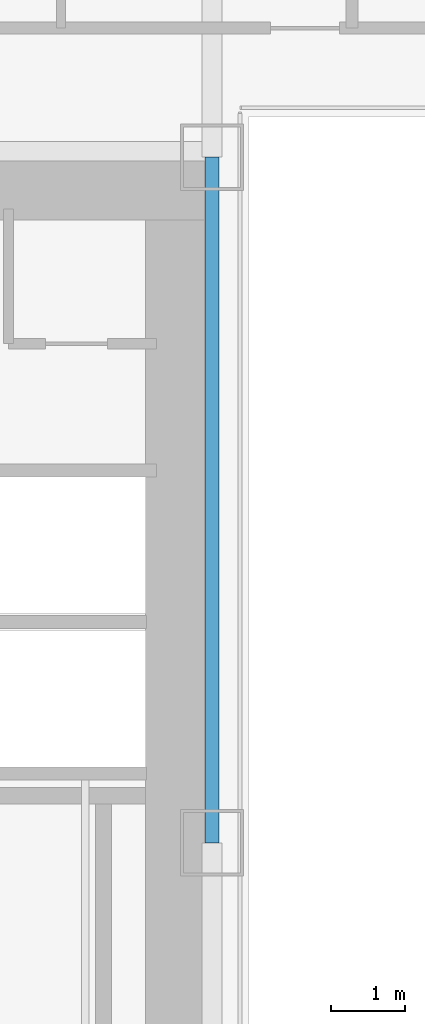
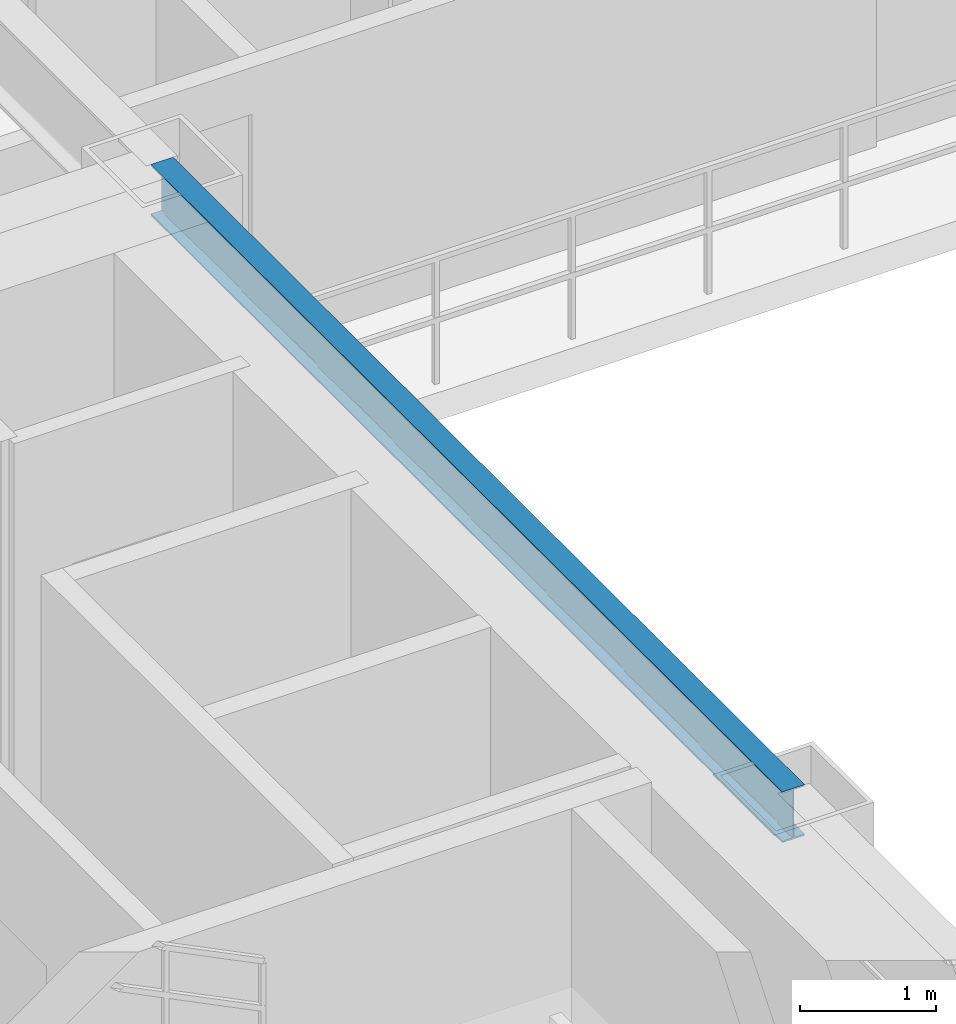
# One storey, part 9 of 38: 1 beam.
"""IFC4 building model written with IfcOpenShell, lengths in metres."""

from ifc_helpers import new_model, si_unit, direction, frame, origin, origin_2d, place, context, subcontext, project, spatial, i_section, extrude, source, transform, mapped, material, material_profile, profile_set, type_object, element, save


model = new_model("IFC4")

# Units and contexts
model_context = context("Model", 3, precision=1e-05, world=origin(), true_north=direction((0.0, 1.0)))
body_context = subcontext(model_context, "Body", "Model", "MODEL_VIEW")
ifc_project = project(units=[si_unit("LENGTHUNIT", "METRE"), si_unit("AREAUNIT", "SQUARE_METRE"), si_unit("VOLUMEUNIT", "CUBIC_METRE"), si_unit("PLANEANGLEUNIT", "RADIAN"), si_unit("MASSUNIT", "GRAM", prefix="KILO")], contexts=[model_context])

# Site, building, storey
site_placement = place(None, origin())
site = spatial("IfcSite", under=ifc_project, at=site_placement, CompositionType="ELEMENT")
building_placement = place(site_placement, origin())
building = spatial("IfcBuilding", under=site, at=building_placement, Name="Ocotamira Hotel", CompositionType="ELEMENT")
storey_placement = place(building_placement, frame((0.0, 0.0, 45.60009765625)))
storey = spatial("IfcBuildingStorey", under=building, at=storey_placement, Name="L10", CompositionType="ELEMENT", Elevation=45.60009765625)

# Beam
ifc_material = material(Name="Steel ASTM A992 Grade 50", Category="steel")
ifc_material_profile = material_profile(ifc_material, i_section(OverallWidth=0.18994140625, OverallDepth=0.45703125, WebThickness=0.009033203125, FlangeThickness=0.014404296875, FilletRadius=0.010009765625, at=origin_2d()), Name="W18X50")
ifc_profile_set = profile_set([ifc_material_profile], Name="Steel ASTM A992 Grade 50")
beam_type = type_object("IfcBeamType", Name="BM-SEC-W18X50", PredefinedType="JOIST", material=ifc_profile_set)
shared_shape = source(origin(), body_context, "Body", "SweptSolid", [
    extrude(i_section(OverallWidth=0.18994140625, OverallDepth=0.45703125, WebThickness=0.009033203125, FlangeThickness=0.014404296875, FilletRadius=0.010009765625, at=origin_2d()), origin(), (0.0, 0.0, 1.0), 9.300048828125),
])
beam_placement = place(storey_placement, frame((23.5, 28.14990234375, 3.121337890625), z_axis=(0.0, 1.0, 0.0), x_axis=(-1.0, 0.0, 0.0)))
element("IfcBeam", 1, at=beam_placement, inside=storey, type_object=beam_type, Name="L10 Beam X23.5 Y28.15-37.45", PredefinedType="JOIST", context=body_context, shape_type="MappedRepresentation", body=[
    mapped(shared_shape, transform((0.0, 0.0, 0.0), scale=1.0)),
])

save(model, "model.ifc")
